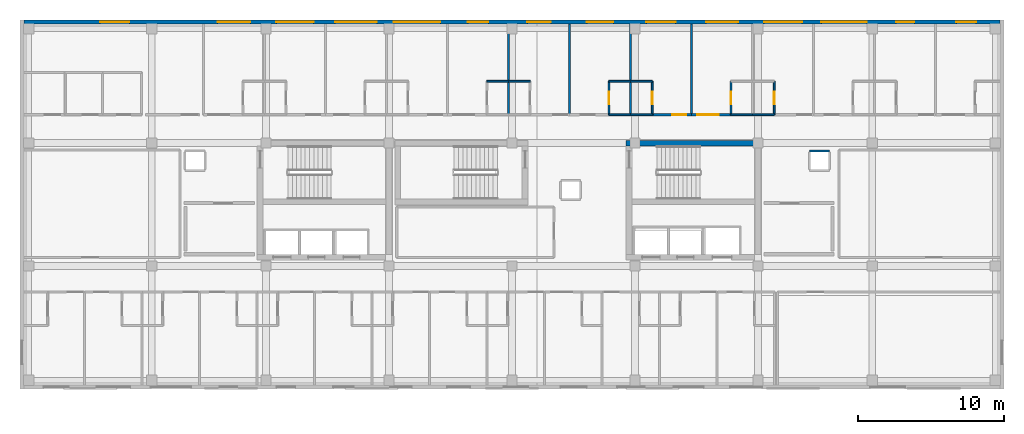
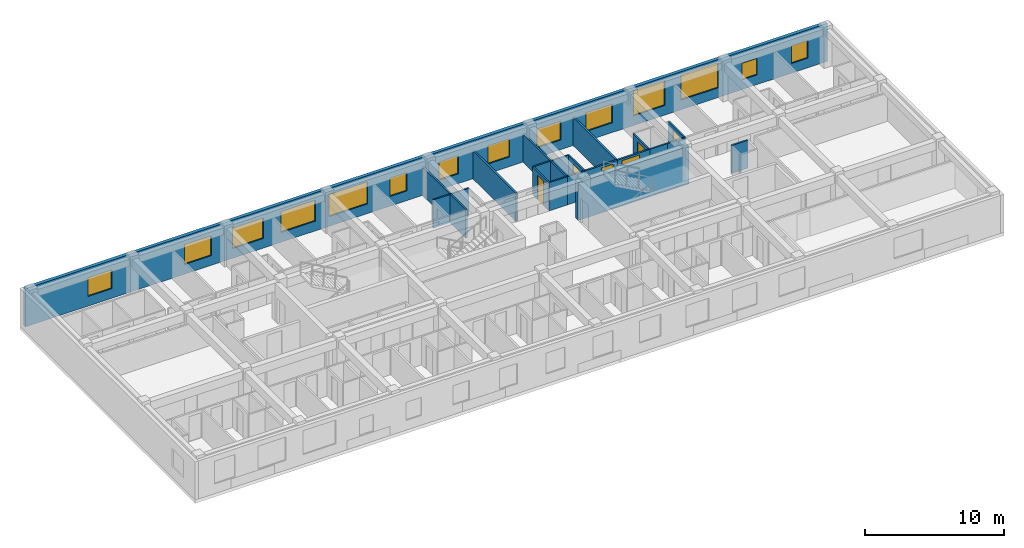
# One storey, part 7 of 10: 21 walls, 14 windows, 6 doors, 20 openings.
"""IFC4 building model written with IfcOpenShell, lengths in metres."""

from ifc_helpers import new_model, si_unit, direction, frame, frame_2d, origin, place, context, subcontext, project, spatial, rectangle, extrude, material, layer, layer_set, type_object, element, fill, save


model = new_model("IFC4")

# Units and contexts
model_context = context("Model", 3, precision=1e-05, world=origin(), true_north=direction((0.0, 1.0)))
body_context = subcontext(model_context, "Body", "Model", "MODEL_VIEW")
ifc_project = project(units=[si_unit("LENGTHUNIT", "METRE"), si_unit("AREAUNIT", "SQUARE_METRE"), si_unit("VOLUMEUNIT", "CUBIC_METRE"), si_unit("PLANEANGLEUNIT", "RADIAN"), si_unit("MASSUNIT", "GRAM", prefix="KILO")], contexts=[model_context])

# Site, building, storey
site_placement = place(None, origin())
site = spatial("IfcSite", under=ifc_project, at=site_placement, CompositionType="ELEMENT")
building_placement = place(site_placement, origin())
building = spatial("IfcBuilding", under=site, at=building_placement, Name="Zayran Congress Hotel", CompositionType="ELEMENT")
storey_placement = place(building_placement, frame((0.0, 0.0, 30.0)))
storey = spatial("IfcBuildingStorey", under=building, at=storey_placement, Name="L07", CompositionType="ELEMENT", Elevation=30.0)

# Wall, openings, windows
ifc_material_1 = material(Name="Hajar Ma'ani limestone cavity wall and concrete C32/40", Category="masonry")
ifc_layer_1 = layer(ifc_material_1, 0.280029296875)
ifc_layer_set_1 = layer_set([ifc_layer_1], Name="Hajar Ma'ani limestone cavity wall and concrete C32/40")
wall_type_1 = type_object("IfcWallType", Name="WL-EX-280", PredefinedType="SOLIDWALL", material=ifc_layer_set_1)
wall_1_placement = place(storey_placement, frame((8.679931640625, 33.860107421875, 0.0), z_axis=(0.0, 0.0, 1.0), x_axis=(1.0, 0.0, 0.0)))
wall_1 = element("IfcWall", 1, at=wall_1_placement, inside=storey, type_object=wall_type_1, Name="EW-V5-N-L07", PredefinedType="SOLIDWALL", context=body_context, shape_type="SweptSolid", body=[
    extrude(rectangle(XDim=66.64013671875, YDim=0.280029296875, at=frame_2d((33.320068359375, 0.0))), origin(), (0.0, 0.0, 1.0), 3.340087890625),
])
opening_1_placement = place(wall_1_placement, frame((5.195068359375, 0.0, 0.85009765625)))
opening_1 = element("IfcOpeningElement", 2, at=opening_1_placement, cuts=wall_1, Name="Opening WN-17", PredefinedType="OPENING", context=body_context, shape_type="SweptSolid", body=[
    extrude(rectangle(XDim=2.0, YDim=1.64990234375, at=frame_2d((1.0, 0.824951171875))), frame((0.0, 0.14990234375, 0.0), z_axis=(0.0, -1.0, 0.0), x_axis=(1.0, 0.0, 0.0)), (0.0, 0.0, 1.0), 0.300048828125),
])
opening_2_placement = place(wall_1_placement, frame((13.208984375, 0.0, 0.85009765625)))
opening_2 = element("IfcOpeningElement", 3, at=opening_2_placement, cuts=wall_1, Name="Opening WN-09", PredefinedType="OPENING", context=body_context, shape_type="SweptSolid", body=[
    extrude(rectangle(XDim=2.25, YDim=1.75, at=frame_2d((1.125, 0.875))), frame((0.0, 0.14990234375, 0.0), z_axis=(0.0, -1.0, 0.0), x_axis=(1.0, 0.0, 0.0)), (0.0, 0.0, 1.0), 0.300048828125),
])
opening_3_placement = place(wall_1_placement, frame((17.22607421875, 0.0, 0.85009765625)))
opening_3 = element("IfcOpeningElement", 4, at=opening_3_placement, cuts=wall_1, Name="Opening WN-10", PredefinedType="OPENING", context=body_context, shape_type="SweptSolid", body=[
    extrude(rectangle(XDim=2.550048828125, YDim=1.800048828125, at=frame_2d((1.27490234375, 0.89990234375))), frame((0.0, 0.14990234375, 0.0), z_axis=(0.0, -1.0, 0.0), x_axis=(1.0, 0.0, 0.0)), (0.0, 0.0, 1.0), 0.300048828125),
])
opening_4_placement = place(wall_1_placement, frame((21.241943359375, 0.0, 0.85009765625)))
opening_4 = element("IfcOpeningElement", 5, at=opening_4_placement, cuts=wall_1, Name="Opening WN-11", PredefinedType="OPENING", context=body_context, shape_type="SweptSolid", body=[
    extrude(rectangle(XDim=2.85009765625, YDim=1.85009765625, at=frame_2d((1.425048828125, 0.925048828125))), frame((0.0, 0.14990234375, 0.0), z_axis=(0.0, -1.0, 0.0), x_axis=(1.0, 0.0, 0.0)), (0.0, 0.0, 1.0), 0.300048828125),
])
opening_5_placement = place(wall_1_placement, frame((25.23388671875, 0.0, 0.85009765625)))
opening_5 = element("IfcOpeningElement", 6, at=opening_5_placement, cuts=wall_1, Name="Opening WN-12", PredefinedType="OPENING", context=body_context, shape_type="SweptSolid", body=[
    extrude(rectangle(XDim=3.199951171875, YDim=1.949951171875, at=frame_2d((1.60009765625, 0.97509765625))), frame((0.0, 0.14990234375, 0.0), z_axis=(0.0, -1.0, 0.0), x_axis=(1.0, 0.0, 0.0)), (0.0, 0.0, 1.0), 0.300048828125),
])
opening_6_placement = place(wall_1_placement, frame((30.302001953125, 0.0, 0.85009765625)))
opening_6 = element("IfcOpeningElement", 7, at=opening_6_placement, cuts=wall_1, Name="Opening WN-14", PredefinedType="OPENING", context=body_context, shape_type="SweptSolid", body=[
    extrude(rectangle(XDim=1.39990234375, YDim=1.60009765625, at=frame_2d((0.699951171875, 0.800048828125))), frame((0.0, 0.14990234375, 0.0), z_axis=(0.0, -1.0, 0.0), x_axis=(1.0, 0.0, 0.0)), (0.0, 0.0, 1.0), 0.300048828125),
])
opening_7_placement = place(wall_1_placement, frame((34.368896484375, 0.0, 0.85009765625)))
opening_7 = element("IfcOpeningElement", 8, at=opening_7_placement, cuts=wall_1, Name="Opening WN-15", PredefinedType="OPENING", context=body_context, shape_type="SweptSolid", body=[
    extrude(rectangle(XDim=1.60009765625, YDim=1.60009765625, at=frame_2d((0.800048828125, 0.800048828125))), frame((0.0, 0.14990234375, 0.0), z_axis=(0.0, -1.0, 0.0), x_axis=(1.0, 0.0, 0.0)), (0.0, 0.0, 1.0), 0.300048828125),
])
opening_8_placement = place(wall_1_placement, frame((38.43505859375, 0.0, 0.85009765625)))
opening_8 = element("IfcOpeningElement", 9, at=opening_8_placement, cuts=wall_1, Name="Opening WN-16", PredefinedType="OPENING", context=body_context, shape_type="SweptSolid", body=[
    extrude(rectangle(XDim=1.800048828125, YDim=1.60009765625, at=frame_2d((0.89990234375, 0.800048828125))), frame((0.0, 0.14990234375, 0.0), z_axis=(0.0, -1.0, 0.0), x_axis=(1.0, 0.0, 0.0)), (0.0, 0.0, 1.0), 0.300048828125),
])
opening_9_placement = place(wall_1_placement, frame((42.501953125, 0.0, 0.85009765625)))
opening_9 = element("IfcOpeningElement", 10, at=opening_9_placement, cuts=wall_1, Name="Opening WN-17", PredefinedType="OPENING", context=body_context, shape_type="SweptSolid", body=[
    extrude(rectangle(XDim=2.0, YDim=1.64990234375, at=frame_2d((1.0, 0.824951171875))), frame((0.0, 0.14990234375, 0.0), z_axis=(0.0, -1.0, 0.0), x_axis=(1.0, 0.0, 0.0)), (0.0, 0.0, 1.0), 0.300048828125),
])
opening_10_placement = place(wall_1_placement, frame((46.569091796875, 0.0, 0.85009765625)))
opening_10 = element("IfcOpeningElement", 11, at=opening_10_placement, cuts=wall_1, Name="Opening WN-18", PredefinedType="OPENING", context=body_context, shape_type="SweptSolid", body=[
    extrude(rectangle(XDim=2.199951171875, YDim=1.64990234375, at=frame_2d((1.10009765625, 0.824951171875))), frame((0.0, 0.14990234375, 0.0), z_axis=(0.0, -1.0, 0.0), x_axis=(1.0, 0.0, 0.0)), (0.0, 0.0, 1.0), 0.300048828125),
])
opening_11_placement = place(wall_1_placement, frame((50.535888671875, 0.0, 0.85009765625)))
opening_11 = element("IfcOpeningElement", 12, at=opening_11_placement, cuts=wall_1, Name="Opening WN-19", PredefinedType="OPENING", context=body_context, shape_type="SweptSolid", body=[
    extrude(rectangle(XDim=2.60009765625, YDim=2.199951171875, at=frame_2d((1.300048828125, 1.10009765625))), frame((0.0, 0.14990234375, 0.0), z_axis=(0.0, -1.0, 0.0), x_axis=(1.0, 0.0, 0.0)), (0.0, 0.0, 1.0), 0.300048828125),
])
opening_12_placement = place(wall_1_placement, frame((54.452880859375, 0.0, 0.85009765625)))
opening_12 = element("IfcOpeningElement", 13, at=opening_12_placement, cuts=wall_1, Name="Opening WN-20", PredefinedType="OPENING", context=body_context, shape_type="SweptSolid", body=[
    extrude(rectangle(XDim=3.10009765625, YDim=2.199951171875, at=frame_2d((1.550048828125, 1.10009765625))), frame((0.0, 0.14990234375, 0.0), z_axis=(0.0, -1.0, 0.0), x_axis=(1.0, 0.0, 0.0)), (0.0, 0.0, 1.0), 0.300048828125),
])
opening_13_placement = place(wall_1_placement, frame((59.544921875, 0.0, 0.85009765625)))
opening_13 = element("IfcOpeningElement", 14, at=opening_13_placement, cuts=wall_1, Name="Opening WN-23", PredefinedType="OPENING", context=body_context, shape_type="SweptSolid", body=[
    extrude(rectangle(XDim=1.25, YDim=1.449951171875, at=frame_2d((0.625, 0.72509765625))), frame((0.0, 0.14990234375, 0.0), z_axis=(0.0, -1.0, 0.0), x_axis=(1.0, 0.0, 0.0)), (0.0, 0.0, 1.0), 0.300048828125),
])
opening_14_placement = place(wall_1_placement, frame((63.662109375, 0.0, 0.85009765625)))
opening_14 = element("IfcOpeningElement", 15, at=opening_14_placement, cuts=wall_1, Name="Opening WN-24", PredefinedType="OPENING", context=body_context, shape_type="SweptSolid", body=[
    extrude(rectangle(XDim=1.35009765625, YDim=1.550048828125, at=frame_2d((0.675048828125, 0.77490234375))), frame((0.0, 0.14990234375, 0.0), z_axis=(0.0, -1.0, 0.0), x_axis=(1.0, 0.0, 0.0)), (0.0, 0.0, 1.0), 0.300048828125),
])
ifc_material_2 = material(Name="Anodised aluminium and low-E insulated glass", Category="aluminium")
window_type_1 = type_object("IfcWindowType", Name="TP-WN-09", PartitioningType="DOUBLE_PANEL_VERTICAL", PredefinedType="WINDOW", material=ifc_material_2)
window_1_placement = place(opening_2_placement, origin())
window_1 = element("IfcWindow", 16, at=window_1_placement, inside=storey, type_object=window_type_1, Name="WIN-V5N-L07-0377", OverallHeight=1.75, OverallWidth=2.25, PartitioningType="SINGLE_PANEL", PredefinedType="WINDOW", context=body_context, shape_type="SweptSolid", body=[
    extrude(rectangle(XDim=2.25, YDim=1.75, at=frame_2d((1.125, 0.875))), frame((0.0, 0.030029296875, 0.0), z_axis=(0.0, -1.0, 0.0), x_axis=(1.0, 0.0, 0.0)), (0.0, 0.0, 1.0), 0.06005859375),
])
fill(opening_2, window_1)
window_type_2 = type_object("IfcWindowType", Name="TP-WN-10", PartitioningType="DOUBLE_PANEL_VERTICAL", PredefinedType="WINDOW", material=ifc_material_2)
window_2_placement = place(opening_3_placement, origin())
window_2 = element("IfcWindow", 17, at=window_2_placement, inside=storey, type_object=window_type_2, Name="WIN-V5N-L07-0378", OverallHeight=1.800048828125, OverallWidth=2.550048828125, PartitioningType="SINGLE_PANEL", PredefinedType="WINDOW", context=body_context, shape_type="SweptSolid", body=[
    extrude(rectangle(XDim=2.550048828125, YDim=1.800048828125, at=frame_2d((1.27490234375, 0.89990234375))), frame((0.0, 0.030029296875, 0.0), z_axis=(0.0, -1.0, 0.0), x_axis=(1.0, 0.0, 0.0)), (0.0, 0.0, 1.0), 0.06005859375),
])
fill(opening_3, window_2)
window_type_3 = type_object("IfcWindowType", Name="TP-WN-11", PartitioningType="TRIPLE_PANEL_VERTICAL", PredefinedType="WINDOW", material=ifc_material_2)
window_3_placement = place(opening_4_placement, origin())
window_3 = element("IfcWindow", 18, at=window_3_placement, inside=storey, type_object=window_type_3, Name="WIN-V5N-L07-0379", OverallHeight=1.85009765625, OverallWidth=2.85009765625, PartitioningType="SINGLE_PANEL", PredefinedType="WINDOW", context=body_context, shape_type="SweptSolid", body=[
    extrude(rectangle(XDim=2.85009765625, YDim=1.85009765625, at=frame_2d((1.425048828125, 0.925048828125))), frame((0.0, 0.030029296875, 0.0), z_axis=(0.0, -1.0, 0.0), x_axis=(1.0, 0.0, 0.0)), (0.0, 0.0, 1.0), 0.06005859375),
])
fill(opening_4, window_3)
window_type_4 = type_object("IfcWindowType", Name="TP-WN-12", PartitioningType="TRIPLE_PANEL_VERTICAL", PredefinedType="WINDOW", material=ifc_material_2)
window_4_placement = place(opening_5_placement, origin())
window_4 = element("IfcWindow", 19, at=window_4_placement, inside=storey, type_object=window_type_4, Name="WIN-V5N-L07-0380", OverallHeight=1.949951171875, OverallWidth=3.199951171875, PartitioningType="SINGLE_PANEL", PredefinedType="WINDOW", context=body_context, shape_type="SweptSolid", body=[
    extrude(rectangle(XDim=3.199951171875, YDim=1.949951171875, at=frame_2d((1.60009765625, 0.97509765625))), frame((0.0, 0.030029296875, 0.0), z_axis=(0.0, -1.0, 0.0), x_axis=(1.0, 0.0, 0.0)), (0.0, 0.0, 1.0), 0.06005859375),
])
fill(opening_5, window_4)
window_type_5 = type_object("IfcWindowType", Name="TP-WN-14", PartitioningType="SINGLE_PANEL", PredefinedType="WINDOW", material=ifc_material_2)
window_5_placement = place(opening_6_placement, origin())
window_5 = element("IfcWindow", 20, at=window_5_placement, inside=storey, type_object=window_type_5, Name="WIN-V5N-L07-0381", OverallHeight=1.60009765625, OverallWidth=1.39990234375, PartitioningType="SINGLE_PANEL", PredefinedType="WINDOW", context=body_context, shape_type="SweptSolid", body=[
    extrude(rectangle(XDim=1.39990234375, YDim=1.60009765625, at=frame_2d((0.699951171875, 0.800048828125))), frame((0.0, 0.030029296875, 0.0), z_axis=(0.0, -1.0, 0.0), x_axis=(1.0, 0.0, 0.0)), (0.0, 0.0, 1.0), 0.06005859375),
])
fill(opening_6, window_5)
window_type_6 = type_object("IfcWindowType", Name="TP-WN-15", PartitioningType="SINGLE_PANEL", PredefinedType="WINDOW", material=ifc_material_2)
window_6_placement = place(opening_7_placement, origin())
window_6 = element("IfcWindow", 21, at=window_6_placement, inside=storey, type_object=window_type_6, Name="WIN-V5N-L07-0382", OverallHeight=1.60009765625, OverallWidth=1.60009765625, PartitioningType="SINGLE_PANEL", PredefinedType="WINDOW", context=body_context, shape_type="SweptSolid", body=[
    extrude(rectangle(XDim=1.60009765625, YDim=1.60009765625, at=frame_2d((0.800048828125, 0.800048828125))), frame((0.0, 0.030029296875, 0.0), z_axis=(0.0, -1.0, 0.0), x_axis=(1.0, 0.0, 0.0)), (0.0, 0.0, 1.0), 0.06005859375),
])
fill(opening_7, window_6)
window_type_7 = type_object("IfcWindowType", Name="TP-WN-16", PartitioningType="DOUBLE_PANEL_VERTICAL", PredefinedType="WINDOW", material=ifc_material_2)
window_7_placement = place(opening_8_placement, origin())
window_7 = element("IfcWindow", 22, at=window_7_placement, inside=storey, type_object=window_type_7, Name="WIN-V5N-L07-0383", OverallHeight=1.60009765625, OverallWidth=1.800048828125, PartitioningType="SINGLE_PANEL", PredefinedType="WINDOW", context=body_context, shape_type="SweptSolid", body=[
    extrude(rectangle(XDim=1.800048828125, YDim=1.60009765625, at=frame_2d((0.89990234375, 0.800048828125))), frame((0.0, 0.030029296875, 0.0), z_axis=(0.0, -1.0, 0.0), x_axis=(1.0, 0.0, 0.0)), (0.0, 0.0, 1.0), 0.06005859375),
])
fill(opening_8, window_7)
window_type_8 = type_object("IfcWindowType", Name="TP-WN-17", PartitioningType="DOUBLE_PANEL_VERTICAL", PredefinedType="WINDOW", material=ifc_material_2)
window_8_placement = place(opening_1_placement, origin())
window_8 = element("IfcWindow", 23, at=window_8_placement, inside=storey, type_object=window_type_8, Name="WIN-V5N-L07-0376", OverallHeight=1.64990234375, OverallWidth=2.0, PartitioningType="SINGLE_PANEL", PredefinedType="WINDOW", context=body_context, shape_type="SweptSolid", body=[
    extrude(rectangle(XDim=2.0, YDim=1.64990234375, at=frame_2d((1.0, 0.824951171875))), frame((0.0, 0.030029296875, 0.0), z_axis=(0.0, -1.0, 0.0), x_axis=(1.0, 0.0, 0.0)), (0.0, 0.0, 1.0), 0.06005859375),
])
fill(opening_1, window_8)
window_9_placement = place(opening_9_placement, origin())
window_9 = element("IfcWindow", 24, at=window_9_placement, inside=storey, type_object=window_type_8, Name="WIN-V5N-L07-0384", OverallHeight=1.64990234375, OverallWidth=2.0, PartitioningType="SINGLE_PANEL", PredefinedType="WINDOW", context=body_context, shape_type="SweptSolid", body=[
    extrude(rectangle(XDim=2.0, YDim=1.64990234375, at=frame_2d((1.0, 0.824951171875))), frame((0.0, 0.030029296875, 0.0), z_axis=(0.0, -1.0, 0.0), x_axis=(1.0, 0.0, 0.0)), (0.0, 0.0, 1.0), 0.06005859375),
])
fill(opening_9, window_9)
window_type_9 = type_object("IfcWindowType", Name="TP-WN-18", PartitioningType="DOUBLE_PANEL_VERTICAL", PredefinedType="WINDOW", material=ifc_material_2)
window_10_placement = place(opening_10_placement, origin())
window_10 = element("IfcWindow", 25, at=window_10_placement, inside=storey, type_object=window_type_9, Name="WIN-V5N-L07-0385", OverallHeight=1.64990234375, OverallWidth=2.199951171875, PartitioningType="SINGLE_PANEL", PredefinedType="WINDOW", context=body_context, shape_type="SweptSolid", body=[
    extrude(rectangle(XDim=2.199951171875, YDim=1.64990234375, at=frame_2d((1.10009765625, 0.824951171875))), frame((0.0, 0.030029296875, 0.0), z_axis=(0.0, -1.0, 0.0), x_axis=(1.0, 0.0, 0.0)), (0.0, 0.0, 1.0), 0.06005859375),
])
fill(opening_10, window_10)
window_type_10 = type_object("IfcWindowType", Name="TP-WN-19", PartitioningType="DOUBLE_PANEL_VERTICAL", PredefinedType="WINDOW", material=ifc_material_2)
window_11_placement = place(opening_11_placement, origin())
window_11 = element("IfcWindow", 26, at=window_11_placement, inside=storey, type_object=window_type_10, Name="WIN-V5N-L07-0386", OverallHeight=2.199951171875, OverallWidth=2.60009765625, PartitioningType="SINGLE_PANEL", PredefinedType="WINDOW", context=body_context, shape_type="SweptSolid", body=[
    extrude(rectangle(XDim=2.60009765625, YDim=2.199951171875, at=frame_2d((1.300048828125, 1.10009765625))), frame((0.0, 0.030029296875, 0.0), z_axis=(0.0, -1.0, 0.0), x_axis=(1.0, 0.0, 0.0)), (0.0, 0.0, 1.0), 0.06005859375),
])
fill(opening_11, window_11)
window_type_11 = type_object("IfcWindowType", Name="TP-WN-20", PartitioningType="TRIPLE_PANEL_VERTICAL", PredefinedType="WINDOW", material=ifc_material_2)
window_12_placement = place(opening_12_placement, origin())
window_12 = element("IfcWindow", 27, at=window_12_placement, inside=storey, type_object=window_type_11, Name="WIN-V5N-L07-0387", OverallHeight=2.199951171875, OverallWidth=3.10009765625, PartitioningType="SINGLE_PANEL", PredefinedType="WINDOW", context=body_context, shape_type="SweptSolid", body=[
    extrude(rectangle(XDim=3.10009765625, YDim=2.199951171875, at=frame_2d((1.550048828125, 1.10009765625))), frame((0.0, 0.030029296875, 0.0), z_axis=(0.0, -1.0, 0.0), x_axis=(1.0, 0.0, 0.0)), (0.0, 0.0, 1.0), 0.06005859375),
])
fill(opening_12, window_12)
window_type_12 = type_object("IfcWindowType", Name="TP-WN-23", PartitioningType="SINGLE_PANEL", PredefinedType="WINDOW", material=ifc_material_2)
window_13_placement = place(opening_13_placement, origin())
window_13 = element("IfcWindow", 28, at=window_13_placement, inside=storey, type_object=window_type_12, Name="WIN-V5N-L07-0388", OverallHeight=1.449951171875, OverallWidth=1.25, PartitioningType="SINGLE_PANEL", PredefinedType="WINDOW", context=body_context, shape_type="SweptSolid", body=[
    extrude(rectangle(XDim=1.25, YDim=1.449951171875, at=frame_2d((0.625, 0.72509765625))), frame((0.0, 0.030029296875, 0.0), z_axis=(0.0, -1.0, 0.0), x_axis=(1.0, 0.0, 0.0)), (0.0, 0.0, 1.0), 0.06005859375),
])
fill(opening_13, window_13)
window_type_13 = type_object("IfcWindowType", Name="TP-WN-24", PartitioningType="SINGLE_PANEL", PredefinedType="WINDOW", material=ifc_material_2)
window_14_placement = place(opening_14_placement, origin())
window_14 = element("IfcWindow", 29, at=window_14_placement, inside=storey, type_object=window_type_13, Name="WIN-V5N-L07-0389", OverallHeight=1.550048828125, OverallWidth=1.35009765625, PartitioningType="SINGLE_PANEL", PredefinedType="WINDOW", context=body_context, shape_type="SweptSolid", body=[
    extrude(rectangle(XDim=1.35009765625, YDim=1.550048828125, at=frame_2d((0.675048828125, 0.77490234375))), frame((0.0, 0.030029296875, 0.0), z_axis=(0.0, -1.0, 0.0), x_axis=(1.0, 0.0, 0.0)), (0.0, 0.0, 1.0), 0.06005859375),
])
fill(opening_14, window_14)

# Wall
ifc_material_3 = material(Name="Concrete C40/50", Category="concrete")
ifc_layer_2 = layer(ifc_material_3, 0.39990234375)
ifc_layer_set_2 = layer_set([ifc_layer_2], Name="Concrete C40/50")
wall_type_2 = type_object("IfcWallType", Name="WL-SH-400", PredefinedType="SHEAR", material=ifc_layer_set_2)
wall_2_placement = place(storey_placement, frame((59.0, 25.5849609375, 0.0), z_axis=(0.0, 0.0, 1.0), x_axis=(-1.0, 0.0, 0.0)))
element("IfcWall", 30, at=wall_2_placement, inside=storey, type_object=wall_type_2, Name="CWALL-C-V5E-L07-N", PredefinedType="SHEAR", context=body_context, shape_type="SweptSolid", body=[
    extrude(rectangle(XDim=9.199951171875, YDim=0.39990234375, at=frame_2d((4.60009765625, 0.0))), origin(), (0.0, 0.0, 1.0), 3.320068359375),
])

# Wall, opening, door
ifc_material_4 = material(Name="Hospitality guestroom acoustic partition", Category="gypsum")
ifc_layer_3 = layer(ifc_material_4, 0.139892578125)
ifc_layer_set_3 = layer_set([ifc_layer_3], Name="Hospitality guestroom acoustic partition")
wall_type_3 = type_object("IfcWallType", Name="WL-PT-140", PredefinedType="PARTITIONING", material=ifc_layer_set_3)
wall_3_placement = place(storey_placement, frame((51.570068359375, 27.530029296875, 0.0), z_axis=(0.0, 0.0, 1.0), x_axis=(1.0, 0.0, 0.0)))
wall_3 = element("IfcWall", 31, at=wall_3_placement, inside=storey, type_object=wall_type_3, Name="IW-L07-0748", PredefinedType="PARTITIONING", context=body_context, shape_type="SweptSolid", body=[
    extrude(rectangle(XDim=2.684814453125, YDim=0.139892578125, at=frame_2d((1.34228515625, 0.0))), origin(), (0.0, 0.0, 1.0), 2.47998046875),
])
opening_15_placement = place(wall_3_placement, frame((1.37890625, 0.0, 0.0)))
opening_15 = element("IfcOpeningElement", 32, at=opening_15_placement, cuts=wall_3, Name="Opening DR-GR-03", PredefinedType="OPENING", context=body_context, shape_type="SweptSolid", body=[
    extrude(rectangle(XDim=0.9599609375, YDim=2.25, at=frame_2d((0.47998046875, 1.125))), frame((0.0, 0.079833984375, 0.0), z_axis=(0.0, -1.0, 0.0), x_axis=(1.0, 0.0, 0.0)), (0.0, 0.0, 1.0), 0.159912109375),
])
ifc_material_5 = material(Name="Executive walnut veneer entry door", Category="wood")
door_type_1 = type_object("IfcDoorType", Name="TP-DR-GR-03", OperationType="NOTDEFINED", PredefinedType="DOOR", material=ifc_material_5)
door_1_placement = place(opening_15_placement, origin())
door_1 = element("IfcDoor", 33, at=door_1_placement, inside=storey, type_object=door_type_1, Name="Guest Room L07-21 Door", OperationType="SINGLE_SWING_RIGHT", OverallHeight=2.25, OverallWidth=0.9599609375, PredefinedType="DOOR", context=body_context, shape_type="SweptSolid", body=[
    extrude(rectangle(XDim=0.9599609375, YDim=2.25, at=frame_2d((0.47998046875, 1.125))), frame((0.0, 0.02490234375, 0.0), z_axis=(0.0, -1.0, 0.0), x_axis=(1.0, 0.0, 0.0)), (0.0, 0.0, 1.0), 0.050048828125),
])
fill(opening_15, door_1)

wall_4_placement = place(storey_placement, frame((54.27490234375, 27.530029296875, 0.0), z_axis=(0.0, 0.0, 1.0), x_axis=(1.0, 0.0, 0.0)))
wall_4 = element("IfcWall", 34, at=wall_4_placement, inside=storey, type_object=wall_type_3, Name="IW-L07-0749", PredefinedType="PARTITIONING", context=body_context, shape_type="SweptSolid", body=[
    extrude(rectangle(XDim=2.68505859375, YDim=0.139892578125, at=frame_2d((1.342529296875, 0.0))), origin(), (0.0, 0.0, 1.0), 2.47998046875),
])
opening_16_placement = place(wall_4_placement, frame((0.37890625, 0.0, 0.0)))
opening_16 = element("IfcOpeningElement", 35, at=opening_16_placement, cuts=wall_4, Name="Opening DR-ST-01", PredefinedType="OPENING", context=body_context, shape_type="SweptSolid", body=[
    extrude(rectangle(XDim=1.449951171875, YDim=2.300048828125, at=frame_2d((0.72509765625, 1.14990234375))), frame((0.0, 0.079833984375, 0.0), z_axis=(0.0, -1.0, 0.0), x_axis=(1.0, 0.0, 0.0)), (0.0, 0.0, 1.0), 0.159912109375),
])
ifc_material_6 = material(Name="Double walnut veneer suite entry door", Category="wood")
door_type_2 = type_object("IfcDoorType", Name="TP-DR-ST-01", OperationType="DOUBLE_DOOR_SINGLE_SWING", PredefinedType="DOOR", material=ifc_material_6)
door_2_placement = place(opening_16_placement, origin())
door_2 = element("IfcDoor", 36, at=door_2_placement, inside=storey, type_object=door_type_2, Name="Executive Suite L07-22 Door", OperationType="DOUBLE_DOOR_SINGLE_SWING", OverallHeight=2.300048828125, OverallWidth=1.449951171875, PredefinedType="DOOR", context=body_context, shape_type="SweptSolid", body=[
    extrude(rectangle(XDim=1.449951171875, YDim=2.300048828125, at=frame_2d((0.72509765625, 1.14990234375))), frame((0.0, 0.02490234375, 0.0), z_axis=(0.0, -1.0, 0.0), x_axis=(1.0, 0.0, 0.0)), (0.0, 0.0, 1.0), 0.050048828125),
])
fill(opening_16, door_2)

# Walls
for number, where, z_axis, x_axis, name in (
    (37, (41.7548828125, 27.52001953125, 0.0), (0.0, 0.0, 1.0), (0.0, 1.0, 0.0), "IW-L07-2078"),
    (38, (45.922119140625, 27.52001953125, 0.0), (0.0, 0.0, 1.0), (0.0, 1.0, 0.0), "IW-L07-2079"),
    (39, (50.087890625, 27.52001953125, 0.0), (0.0, 0.0, 1.0), (0.0, 1.0, 0.0), "IW-L07-2080"),
    (40, (54.2548828125, 27.52001953125, 0.0), (0.0, 0.0, 1.0), (0.0, 1.0, 0.0), "IW-L07-2081"),
):
    element("IfcWall", number, at=place(storey_placement, frame(where, z_axis=z_axis, x_axis=x_axis)), inside=storey, type_object=wall_type_3, Name=name, PredefinedType="PARTITIONING", context=body_context, shape_type="SweptSolid", body=[
        extrude(rectangle(XDim=6.199951171875, YDim=0.139892578125, at=frame_2d((3.10009765625, 0.0))), origin(), (0.0, 0.0, 1.0), 2.47998046875),
    ])
wall_5_placement = place(storey_placement, frame((63.68994140625, 25.050048828125, 0.0), z_axis=(0.0, 0.0, 1.0), x_axis=(-1.0, 0.0, 0.0)))
element("IfcWall", 41, at=wall_5_placement, inside=storey, type_object=wall_type_3, Name="RSWL-V5-L07-046-N", PredefinedType="PARTITIONING", context=body_context, shape_type="SweptSolid", body=[
    extrude(rectangle(XDim=1.35986328125, YDim=0.139892578125, at=frame_2d((0.679931640625, 0.0))), origin(), (0.0, 0.0, 1.0), 2.43994140625),
])

# Wall, opening, door
ifc_material_7 = material(Name="Moisture-resistant bathroom partition", Category="gypsum")
ifc_layer_4 = layer(ifc_material_7, 0.1201171875)
ifc_layer_set_4 = layer_set([ifc_layer_4], Name="Moisture-resistant bathroom partition")
wall_type_4 = type_object("IfcWallType", Name="WL-PT-120", PredefinedType="PARTITIONING", material=ifc_layer_set_4)
wall_6_placement = place(storey_placement, frame((48.6259765625, 27.52001953125, 0.0), z_axis=(0.0, 0.0, 1.0), x_axis=(0.0, 1.0, 0.0)))
wall_6 = element("IfcWall", 42, at=wall_6_placement, inside=storey, type_object=wall_type_4, Name="IW-L07-0238", PredefinedType="PARTITIONING", context=body_context, shape_type="SweptSolid", body=[
    extrude(rectangle(XDim=2.31005859375, YDim=0.1201171875, at=frame_2d((1.155029296875, 0.0))), origin(), (0.0, 0.0, 1.0), 2.47998046875),
])
opening_17_placement = place(wall_6_placement, frame((0.715087890625, 0.0, 0.0)))
opening_17 = element("IfcOpeningElement", 43, at=opening_17_placement, cuts=wall_6, Name="Opening DR-BT-01", PredefinedType="OPENING", context=body_context, shape_type="SweptSolid", body=[
    extrude(rectangle(XDim=0.8798828125, YDim=2.14990234375, at=frame_2d((0.43994140625, 1.074951171875))), frame((0.0, 0.070068359375, 0.0), z_axis=(0.0, -1.0, 0.0), x_axis=(1.0, 0.0, 0.0)), (0.0, 0.0, 1.0), 0.14013671875),
])
ifc_material_8 = material(Name="Moisture-resistant oak en-suite door", Category="wood")
door_type_3 = type_object("IfcDoorType", Name="TP-DR-BT-01", OperationType="NOTDEFINED", PredefinedType="DOOR", material=ifc_material_8)
door_3_placement = place(opening_17_placement, origin())
door_3 = element("IfcDoor", 44, at=door_3_placement, inside=storey, type_object=door_type_3, Name="En-Suite Bathroom L07-20 Door", OperationType="SINGLE_SWING_LEFT", OverallHeight=2.14990234375, OverallWidth=0.8798828125, PredefinedType="DOOR", context=body_context, shape_type="SweptSolid", body=[
    extrude(rectangle(XDim=0.8798828125, YDim=2.14990234375, at=frame_2d((0.43994140625, 1.074951171875))), frame((0.0, 0.02490234375, 0.0), z_axis=(0.0, -1.0, 0.0), x_axis=(1.0, 0.0, 0.0)), (0.0, 0.0, 1.0), 0.050048828125),
])
fill(opening_17, door_3)

wall_7_placement = place(storey_placement, frame((51.570068359375, 27.52001953125, 0.0), z_axis=(0.0, 0.0, 1.0), x_axis=(0.0, 1.0, 0.0)))
wall_7 = element("IfcWall", 45, at=wall_7_placement, inside=storey, type_object=wall_type_4, Name="IW-L07-0239", PredefinedType="PARTITIONING", context=body_context, shape_type="SweptSolid", body=[
    extrude(rectangle(XDim=2.31005859375, YDim=0.1201171875, at=frame_2d((1.155029296875, 0.0))), origin(), (0.0, 0.0, 1.0), 2.47998046875),
])
opening_18_placement = place(wall_7_placement, frame((0.715087890625, 0.0, 0.0)))
opening_18 = element("IfcOpeningElement", 46, at=opening_18_placement, cuts=wall_7, Name="Opening DR-BT-01", PredefinedType="OPENING", context=body_context, shape_type="SweptSolid", body=[
    extrude(rectangle(XDim=0.8798828125, YDim=2.14990234375, at=frame_2d((0.43994140625, 1.074951171875))), frame((0.0, 0.070068359375, 0.0), z_axis=(0.0, -1.0, 0.0), x_axis=(1.0, 0.0, 0.0)), (0.0, 0.0, 1.0), 0.14013671875),
])
door_4_placement = place(opening_18_placement, origin())
door_4 = element("IfcDoor", 47, at=door_4_placement, inside=storey, type_object=door_type_3, Name="En-Suite Bathroom L07-21 Door", OperationType="SINGLE_SWING_RIGHT", OverallHeight=2.14990234375, OverallWidth=0.8798828125, PredefinedType="DOOR", context=body_context, shape_type="SweptSolid", body=[
    extrude(rectangle(XDim=0.8798828125, YDim=2.14990234375, at=frame_2d((0.43994140625, 1.074951171875))), frame((0.0, 0.02490234375, 0.0), z_axis=(0.0, -1.0, 0.0), x_axis=(1.0, 0.0, 0.0)), (0.0, 0.0, 1.0), 0.050048828125),
])
fill(opening_18, door_4)

wall_8_placement = place(storey_placement, frame((56.9599609375, 27.52001953125, 0.0), z_axis=(0.0, 0.0, 1.0), x_axis=(0.0, 1.0, 0.0)))
wall_8 = element("IfcWall", 48, at=wall_8_placement, inside=storey, type_object=wall_type_4, Name="IW-L07-0240", PredefinedType="PARTITIONING", context=body_context, shape_type="SweptSolid", body=[
    extrude(rectangle(XDim=2.31005859375, YDim=0.1201171875, at=frame_2d((1.155029296875, 0.0))), origin(), (0.0, 0.0, 1.0), 2.47998046875),
])
opening_19_placement = place(wall_8_placement, frame((0.715087890625, 0.0, 0.0)))
opening_19 = element("IfcOpeningElement", 49, at=opening_19_placement, cuts=wall_8, Name="Opening DR-BT-01", PredefinedType="OPENING", context=body_context, shape_type="SweptSolid", body=[
    extrude(rectangle(XDim=0.8798828125, YDim=2.14990234375, at=frame_2d((0.43994140625, 1.074951171875))), frame((0.0, 0.070068359375, 0.0), z_axis=(0.0, -1.0, 0.0), x_axis=(1.0, 0.0, 0.0)), (0.0, 0.0, 1.0), 0.14013671875),
])
door_5_placement = place(opening_19_placement, origin())
door_5 = element("IfcDoor", 50, at=door_5_placement, inside=storey, type_object=door_type_3, Name="En-Suite Bathroom L07-22 Door", OperationType="SINGLE_SWING_LEFT", OverallHeight=2.14990234375, OverallWidth=0.8798828125, PredefinedType="DOOR", context=body_context, shape_type="SweptSolid", body=[
    extrude(rectangle(XDim=0.8798828125, YDim=2.14990234375, at=frame_2d((0.43994140625, 1.074951171875))), frame((0.0, 0.02490234375, 0.0), z_axis=(0.0, -1.0, 0.0), x_axis=(1.0, 0.0, 0.0)), (0.0, 0.0, 1.0), 0.050048828125),
])
fill(opening_19, door_5)

wall_9_placement = place(storey_placement, frame((59.904052734375, 27.52001953125, 0.0), z_axis=(0.0, 0.0, 1.0), x_axis=(0.0, 1.0, 0.0)))
wall_9 = element("IfcWall", 51, at=wall_9_placement, inside=storey, type_object=wall_type_4, Name="IW-L07-0241", PredefinedType="PARTITIONING", context=body_context, shape_type="SweptSolid", body=[
    extrude(rectangle(XDim=2.31005859375, YDim=0.1201171875, at=frame_2d((1.155029296875, 0.0))), origin(), (0.0, 0.0, 1.0), 2.47998046875),
])
opening_20_placement = place(wall_9_placement, frame((0.715087890625, 0.0, 0.0)))
opening_20 = element("IfcOpeningElement", 52, at=opening_20_placement, cuts=wall_9, Name="Opening DR-BT-01", PredefinedType="OPENING", context=body_context, shape_type="SweptSolid", body=[
    extrude(rectangle(XDim=0.8798828125, YDim=2.14990234375, at=frame_2d((0.43994140625, 1.074951171875))), frame((0.0, 0.070068359375, 0.0), z_axis=(0.0, -1.0, 0.0), x_axis=(1.0, 0.0, 0.0)), (0.0, 0.0, 1.0), 0.14013671875),
])
door_6_placement = place(opening_20_placement, origin())
door_6 = element("IfcDoor", 53, at=door_6_placement, inside=storey, type_object=door_type_3, Name="En-Suite Bathroom L07-23 Door", OperationType="SINGLE_SWING_RIGHT", OverallHeight=2.14990234375, OverallWidth=0.8798828125, PredefinedType="DOOR", context=body_context, shape_type="SweptSolid", body=[
    extrude(rectangle(XDim=0.8798828125, YDim=2.14990234375, at=frame_2d((0.43994140625, 1.074951171875))), frame((0.0, 0.02490234375, 0.0), z_axis=(0.0, -1.0, 0.0), x_axis=(1.0, 0.0, 0.0)), (0.0, 0.0, 1.0), 0.050048828125),
])
fill(opening_20, door_6)

# Walls
wall_10_placement = place(storey_placement, frame((40.282958984375, 29.820068359375, 0.0), z_axis=(0.0, 0.0, 1.0), x_axis=(1.0, 0.0, 0.0)))
element("IfcWall", 54, at=wall_10_placement, inside=storey, type_object=wall_type_4, Name="IW-L07-1340", PredefinedType="PARTITIONING", context=body_context, shape_type="SweptSolid", body=[
    extrude(rectangle(XDim=1.48193359375, YDim=0.1201171875, at=frame_2d((0.740966796875, 0.0))), origin(), (0.0, 0.0, 1.0), 2.47998046875),
])
wall_11_placement = place(storey_placement, frame((41.764892578125, 29.820068359375, 0.0), z_axis=(0.0, 0.0, 1.0), x_axis=(1.0, 0.0, 0.0)))
element("IfcWall", 55, at=wall_11_placement, inside=storey, type_object=wall_type_4, Name="IW-L07-1342", PredefinedType="PARTITIONING", context=body_context, shape_type="SweptSolid", body=[
    extrude(rectangle(XDim=1.482177734375, YDim=0.1201171875, at=frame_2d((0.7412109375, 0.0))), origin(), (0.0, 0.0, 1.0), 2.47998046875),
])
for number, where, z_axis, x_axis, name in (
    (56, (48.615966796875, 27.530029296875, 0.0), (0.0, 0.0, 1.0), (1.0, 0.0, 0.0), "IW-L07-1343"),
    (57, (48.615966796875, 29.820068359375, 0.0), (0.0, 0.0, 1.0), (1.0, 0.0, 0.0), "IW-L07-1344"),
):
    element("IfcWall", number, at=place(storey_placement, frame(where, z_axis=z_axis, x_axis=x_axis)), inside=storey, type_object=wall_type_4, Name=name, PredefinedType="PARTITIONING", context=body_context, shape_type="SweptSolid", body=[
        extrude(rectangle(XDim=1.48193359375, YDim=0.1201171875, at=frame_2d((0.740966796875, 0.0))), origin(), (0.0, 0.0, 1.0), 2.47998046875),
    ])
for number, where, z_axis, x_axis, name in (
    (58, (50.097900390625, 27.530029296875, 0.0), (0.0, 0.0, 1.0), (1.0, 0.0, 0.0), "IW-L07-1345"),
    (59, (50.097900390625, 29.820068359375, 0.0), (0.0, 0.0, 1.0), (1.0, 0.0, 0.0), "IW-L07-1346"),
):
    element("IfcWall", number, at=place(storey_placement, frame(where, z_axis=z_axis, x_axis=x_axis)), inside=storey, type_object=wall_type_4, Name=name, PredefinedType="PARTITIONING", context=body_context, shape_type="SweptSolid", body=[
        extrude(rectangle(XDim=1.482177734375, YDim=0.1201171875, at=frame_2d((0.7412109375, 0.0))), origin(), (0.0, 0.0, 1.0), 2.47998046875),
    ])
wall_12_placement = place(storey_placement, frame((56.949951171875, 27.530029296875, 0.0), z_axis=(0.0, 0.0, 1.0), x_axis=(1.0, 0.0, 0.0)))
element("IfcWall", 60, at=wall_12_placement, inside=storey, type_object=wall_type_4, Name="IW-L07-1347", PredefinedType="PARTITIONING", context=body_context, shape_type="SweptSolid", body=[
    extrude(rectangle(XDim=1.48193359375, YDim=0.1201171875, at=frame_2d((0.740966796875, 0.0))), origin(), (0.0, 0.0, 1.0), 2.47998046875),
])
wall_13_placement = place(storey_placement, frame((58.431884765625, 27.530029296875, 0.0), z_axis=(0.0, 0.0, 1.0), x_axis=(1.0, 0.0, 0.0)))
element("IfcWall", 61, at=wall_13_placement, inside=storey, type_object=wall_type_4, Name="IW-L07-1349", PredefinedType="PARTITIONING", context=body_context, shape_type="SweptSolid", body=[
    extrude(rectangle(XDim=1.482177734375, YDim=0.1201171875, at=frame_2d((0.7412109375, 0.0))), origin(), (0.0, 0.0, 1.0), 2.47998046875),
])

save(model, "model.ifc")
